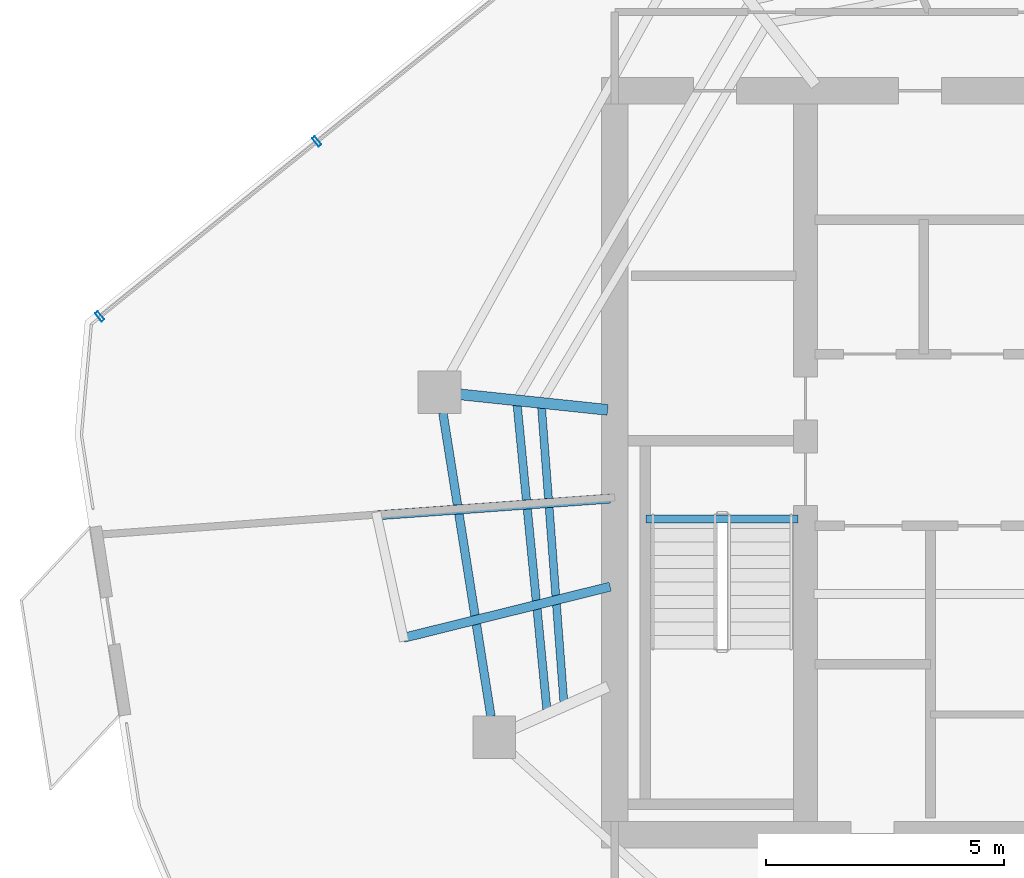
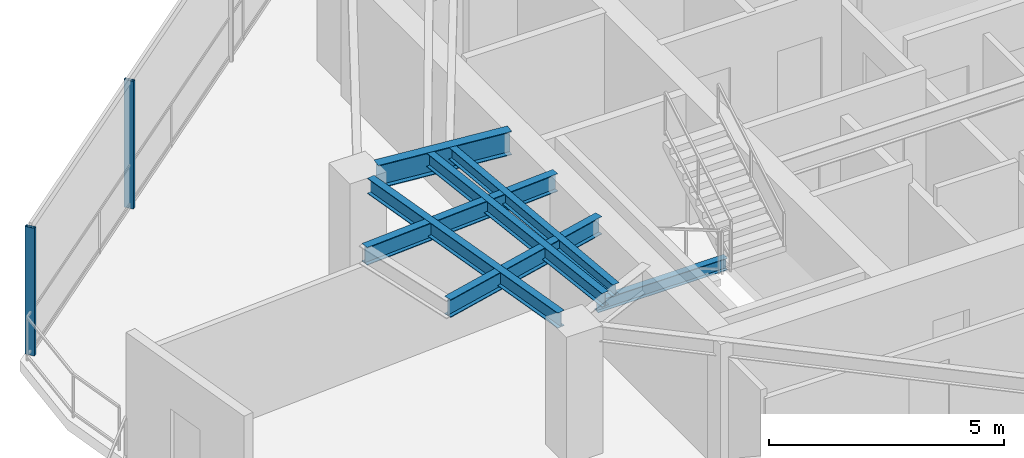
# One storey, part 6 of 19: 7 beams, 2 members, 1 element without a shape of its own.
"""IFC4 building model written with IfcOpenShell, lengths in metres."""

from ifc_helpers import new_model, si_unit, direction, frame, origin, origin_2d, place, context, subcontext, project, spatial, hollow_rectangle, i_section, extrude, material, layer, layer_set, material_profile, profile_set, type_object, element, aggregate, save


model = new_model("IFC4")

# Units and contexts
model_context = context("Model", 3, precision=1e-05, world=origin(), true_north=direction((0.0, 1.0)))
body_context = subcontext(model_context, "Body", "Model", "MODEL_VIEW")
ifc_project = project(units=[si_unit("LENGTHUNIT", "METRE"), si_unit("AREAUNIT", "SQUARE_METRE"), si_unit("VOLUMEUNIT", "CUBIC_METRE"), si_unit("PLANEANGLEUNIT", "RADIAN"), si_unit("MASSUNIT", "GRAM", prefix="KILO")], contexts=[model_context])

# Site, building, storey
site_placement = place(None, origin())
site = spatial("IfcSite", under=ifc_project, at=site_placement, CompositionType="ELEMENT")
building_placement = place(site_placement, origin())
building = spatial("IfcBuilding", under=site, at=building_placement, Name="Qarnah Convention Tower", CompositionType="ELEMENT")
storey_placement = place(building_placement, frame((0.0, 0.0, 213.0)))
storey = spatial("IfcBuildingStorey", under=building, at=storey_placement, Name="L57", CompositionType="ELEMENT", Elevation=213.0)

# Beams
ifc_material_1 = material(Name="Structural steel S355JR", Category="steel")
ifc_material_profile_1 = material_profile(ifc_material_1, i_section(OverallWidth=0.19189453125, OverallDepth=0.464111328125, WebThickness=0.010986328125, FlangeThickness=0.01806640625, at=origin_2d()), Name="W460X89")
ifc_profile_set_1 = profile_set([ifc_material_profile_1], Name="Structural steel S355JR")
beam_type_1 = type_object("IfcBeamType", Name="BM-CANT-W460A", PredefinedType="BEAM", material=ifc_profile_set_1)
beam_1_placement = place(storey_placement, frame((26.702880859375, 23.802001953125, 3.087890625), z_axis=(-0.970718465503, -0.240220025669, 0.0), x_axis=(0.240220025669, -0.970718465503, 0.0)))
element("IfcBeam", 1, at=beam_1_placement, inside=storey, type_object=beam_type_1, Name="L57 beam BM-L57-CNT-02-1", PredefinedType="BEAM", context=body_context, shape_type="SweptSolid", body=[
    extrude(i_section(OverallWidth=0.19189453125, OverallDepth=0.464111328125, WebThickness=0.010986328125, FlangeThickness=0.01806640625, at=origin_2d()), origin(), (0.0, 0.0, 1.0), 4.466796875),
])
beam_2_placement = place(storey_placement, frame((26.699951171875, 25.64794921875, 3.087890625), z_axis=(-0.997436151804, -0.071562022574, 0.0), x_axis=(0.071562022574, -0.997436151804, 0.0)))
element("IfcBeam", 2, at=beam_2_placement, inside=storey, type_object=beam_type_1, Name="L57 beam BM-L57-CNT-02-2", PredefinedType="BEAM", context=body_context, shape_type="SweptSolid", body=[
    extrude(i_section(OverallWidth=0.19189453125, OverallDepth=0.464111328125, WebThickness=0.010986328125, FlangeThickness=0.01806640625, at=origin_2d()), origin(), (0.0, 0.0, 1.0), 4.90234375),
])
ifc_material_profile_2 = material_profile(ifc_material_1, i_section(OverallWidth=0.166015625, OverallDepth=0.31201171875, WebThickness=0.007080078125, FlangeThickness=0.010986328125, at=origin_2d()), Name="W310X45")
ifc_profile_set_2 = profile_set([ifc_material_profile_2], Name="Structural steel S355JR")
beam_type_2 = type_object("IfcBeamType", Name="BM-JST-W310", PredefinedType="JOIST", material=ifc_profile_set_2)
beam_3_placement = place(storey_placement, frame((27.4599609375, 25.217041015625, -0.156005859375), z_axis=(1.0, 0.0, 0.0), x_axis=(0.0, 1.0, 0.0)))
element("IfcBeam", 3, at=beam_3_placement, inside=storey, type_object=beam_type_2, Name="L57 stair landing trimmer beam BM-L57-ST1-TRM", PredefinedType="BEAM", context=body_context, shape_type="SweptSolid", body=[
    extrude(i_section(OverallWidth=0.166015625, OverallDepth=0.31201171875, WebThickness=0.007080078125, FlangeThickness=0.010986328125, at=origin_2d()), origin(), (0.0, 0.0, 1.0), 3.179931640625),
])
beam_4_placement = place(storey_placement, frame((25.264892578125, 27.56494140625, 3.1640625), z_axis=(0.075394458527, -0.997153787348, 0.0), x_axis=(0.997153787348, 0.075394458527, 0.0)))
element("IfcBeam", 4, at=beam_4_placement, inside=storey, type_object=beam_type_2, Name="L57 joist BM-L57-IJST-05", PredefinedType="JOIST", context=body_context, shape_type="SweptSolid", body=[
    extrude(i_section(OverallWidth=0.166015625, OverallDepth=0.31201171875, WebThickness=0.007080078125, FlangeThickness=0.010986328125, at=origin_2d()), origin(), (0.0, 0.0, 1.0), 6.194580078125),
])
ifc_material_profile_3 = material_profile(ifc_material_1, i_section(OverallWidth=0.172119140625, OverallDepth=0.35595703125, WebThickness=0.007080078125, FlangeThickness=0.011962890625, at=origin_2d()), Name="W360X51")
ifc_profile_set_3 = profile_set([ifc_material_profile_3], Name="Structural steel S355JR")
beam_type_3 = type_object("IfcBeamType", Name="BM-JST-W360", PredefinedType="JOIST", material=ifc_profile_set_3)
beam_5_placement = place(storey_placement, frame((24.7529296875, 27.618896484375, 3.14208984375), z_axis=(0.097059533416, -0.995278577572, 0.0), x_axis=(0.995278577572, 0.097059533416, 0.0)))
element("IfcBeam", 5, at=beam_5_placement, inside=storey, type_object=beam_type_3, Name="L57 joist BM-L57-SJST-05", PredefinedType="JOIST", context=body_context, shape_type="SweptSolid", body=[
    extrude(i_section(OverallWidth=0.172119140625, OverallDepth=0.35595703125, WebThickness=0.007080078125, FlangeThickness=0.011962890625, at=origin_2d()), origin(), (0.0, 0.0, 1.0), 6.419189453125),
])
ifc_material_profile_4 = material_profile(ifc_material_1, i_section(OverallWidth=0.22802734375, OverallDepth=0.60791015625, WebThickness=0.010986328125, FlangeThickness=0.01708984375, at=origin_2d()), Name="W610X113")
ifc_profile_set_4 = profile_set([ifc_material_profile_4], Name="Structural steel S355JR")
beam_type_4 = type_object("IfcBeamType", Name="BM-RAD-W610B", PredefinedType="BEAM", material=ifc_profile_set_4)
beam_6_placement = place(storey_placement, frame((26.65087890625, 27.509033203125, 3.01611328125), z_axis=(-0.99453335923, 0.104419334317, 0.0), x_axis=(-0.104419334317, -0.99453335923, 0.0)))
element("IfcBeam", 6, at=beam_6_placement, inside=storey, type_object=beam_type_4, Name="L57 beam BM-L57-RAD-05", PredefinedType="BEAM", context=body_context, shape_type="SweptSolid", body=[
    extrude(i_section(OverallWidth=0.22802734375, OverallDepth=0.60791015625, WebThickness=0.010986328125, FlangeThickness=0.01708984375, at=origin_2d()), origin(), (0.0, 0.0, 1.0), 3.112060546875),
])
ifc_material_profile_5 = material_profile(ifc_material_1, i_section(OverallWidth=0.179931640625, OverallDepth=0.39990234375, WebThickness=0.009033203125, FlangeThickness=0.013916015625, at=origin_2d()), Name="IPE400")
ifc_profile_set_5 = profile_set([ifc_material_profile_5], Name="Structural steel S355JR")
beam_type_5 = type_object("IfcBeamType", Name="BM-SPN-IPE400", PredefinedType="SPANDREL", material=ifc_profile_set_5)
beam_7_placement = place(storey_placement, frame((23.197021484375, 27.444091796875, 3.1201171875), z_axis=(0.156301127146, -0.987709450017, 0.0), x_axis=(0.987709450017, 0.156301127146, 0.0)))
element("IfcBeam", 7, at=beam_7_placement, inside=storey, type_object=beam_type_5, Name="L57 spandrel BM-L57-SPN-05", PredefinedType="SPANDREL", context=body_context, shape_type="SweptSolid", body=[
    extrude(i_section(OverallWidth=0.179931640625, OverallDepth=0.39990234375, WebThickness=0.009033203125, FlangeThickness=0.013916015625, at=origin_2d()), origin(), (0.0, 0.0, 1.0), 6.443115234375),
])

# Curtain wall, members
ifc_material_2 = material(Name="Tempered Low-E dark glass", Category="glass")
ifc_layer = layer(ifc_material_2, 0.174072265625)
ifc_layer_set = layer_set([ifc_layer], Name="Tempered Low-E dark glass")
curtain_wall_type = type_object("IfcCurtainWallType", Name="CWS-04", PredefinedType="NOTDEFINED", material=ifc_layer_set)
curtain_wall_placement = place(storey_placement, origin())
curtain_wall = element("IfcCurtainWall", 8, at=curtain_wall_placement, inside=storey, type_object=curtain_wall_type, Name="L57 unitised curtain wall CW-L57-F3", PredefinedType="NOTDEFINED")
ifc_material_3 = material(Name="Black anodised aluminium", Category="aluminium")
ifc_material_profile_6 = material_profile(ifc_material_3, hollow_rectangle(XDim=0.074951171875, YDim=0.219970703125, WallThickness=0.0048828125, at=origin_2d()), Name="MUL-75X220")
ifc_profile_set_6 = profile_set([ifc_material_profile_6], Name="Black anodised aluminium")
member_type = type_object("IfcMemberType", Name="MUL-T4", PredefinedType="MULLION", material=ifc_profile_set_6)
member_1_placement = place(storey_placement, frame((16.0009765625, 29.468994140625, 0.0), z_axis=(0.0, 0.0, 1.0), x_axis=(0.778476674692, 0.627673535336, 0.0)))
member_1 = element("IfcMember", 9, at=member_1_placement, type_object=member_type, Name="CW-L57-F3 mullion 1", PredefinedType="MULLION", context=body_context, shape_type="SweptSolid", body=[
    extrude(hollow_rectangle(XDim=0.074951171875, YDim=0.219970703125, WallThickness=0.0048828125, at=origin_2d()), origin(), (0.0, 0.0, 1.0), 3.320068359375),
])
member_2_placement = place(storey_placement, frame((20.552001953125, 33.138427734375, 0.0), z_axis=(0.0, 0.0, 1.0), x_axis=(0.778476674692, 0.627673535336, 0.0)))
member_2 = element("IfcMember", 10, at=member_2_placement, type_object=member_type, Name="CW-L57-F3 mullion 2", PredefinedType="MULLION", context=body_context, shape_type="SweptSolid", body=[
    extrude(hollow_rectangle(XDim=0.074951171875, YDim=0.219970703125, WallThickness=0.0048828125, at=origin_2d()), origin(), (0.0, 0.0, 1.0), 3.320068359375),
])
aggregate(curtain_wall, [member_1, member_2])

save(model, "model.ifc")
